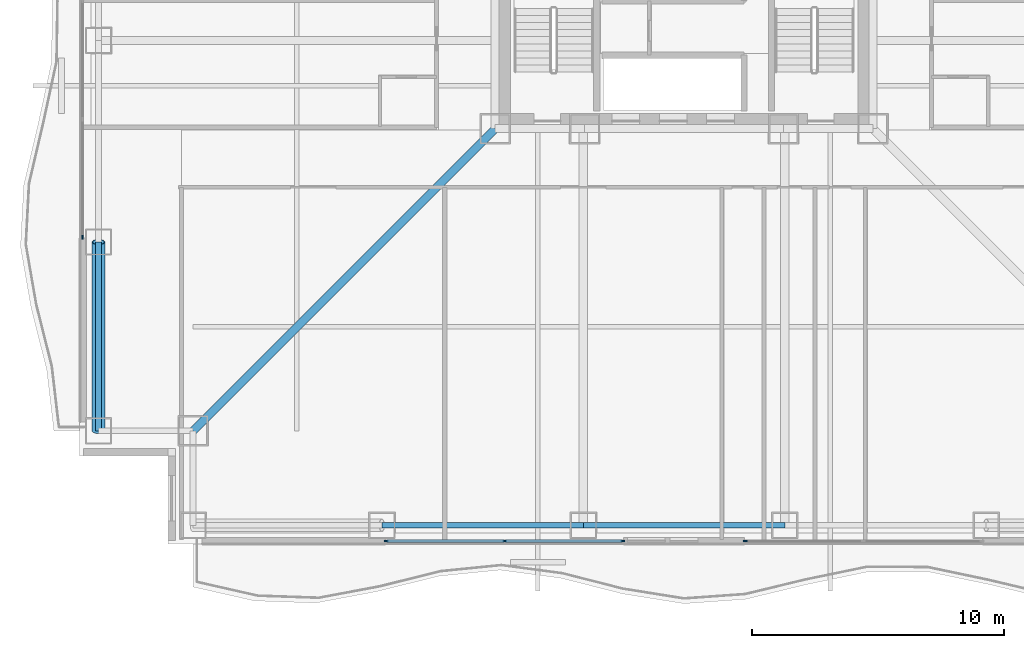
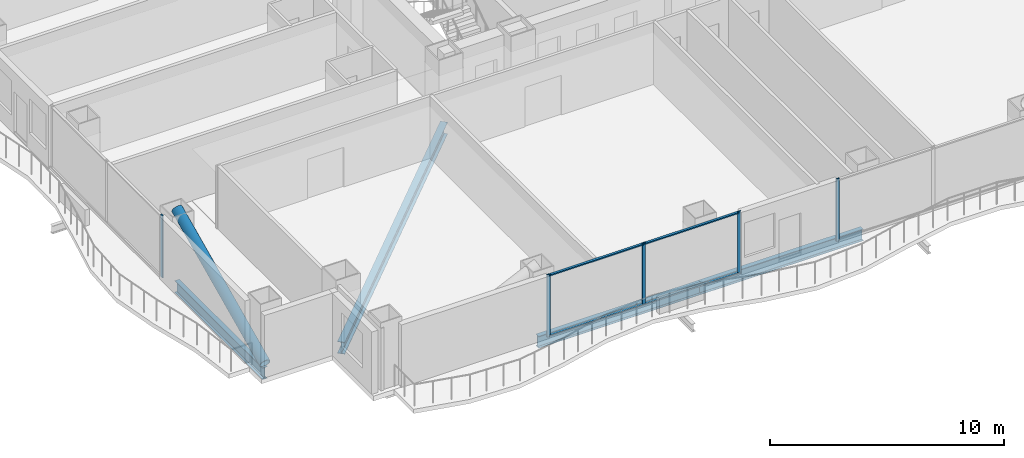
# One storey, part 2 of 24: 10 members, 4 beams, 3 elements without a shape of their own.
"""IFC4 building model written with IfcOpenShell, lengths in metres."""

from ifc_helpers import new_model, si_unit, direction, frame, origin, origin_2d, place, context, subcontext, project, spatial, rectangle, hollow_circle, i_section, extrude, material, layer, layer_set, material_profile, profile_set, type_object, element, aggregate, save


model = new_model("IFC4")

# Units and contexts
model_context = context("Model", 3, precision=1e-05, world=origin(), true_north=direction((0.0, 1.0)))
body_context = subcontext(model_context, "Body", "Model", "MODEL_VIEW")
ifc_project = project(units=[si_unit("LENGTHUNIT", "METRE"), si_unit("AREAUNIT", "SQUARE_METRE"), si_unit("VOLUMEUNIT", "CUBIC_METRE"), si_unit("PLANEANGLEUNIT", "RADIAN"), si_unit("MASSUNIT", "GRAM", prefix="KILO")], contexts=[model_context])

# Site, building, storey
site_placement = place(None, origin())
site = spatial("IfcSite", under=ifc_project, at=site_placement, CompositionType="ELEMENT")
building_placement = place(site_placement, origin())
building = spatial("IfcBuilding", under=site, at=building_placement, Name="Trevonay Congress Spire", CompositionType="ELEMENT")
storey_placement = place(building_placement, frame((0.0, 0.0, 55.0)))
storey = spatial("IfcBuildingStorey", under=building, at=storey_placement, Name="L13", CompositionType="ELEMENT", Elevation=55.0)

# Beams
ifc_material_1 = material(Name="Steel ASTM A572 Grade 50", Category="steel")
ifc_material_profile_1 = material_profile(ifc_material_1, i_section(OverallWidth=0.324951171875, OverallDepth=0.615966796875, WebThickness=0.013916015625, FlangeThickness=0.021484375, FilletRadius=0.01806640625, at=origin_2d()), Name="W610x174")
ifc_profile_set_1 = profile_set([ifc_material_profile_1], Name="Steel ASTM A572 Grade 50")
beam_type_1 = type_object("IfcBeamType", Name="BM-GIRD-W610X174", PredefinedType="BEAM", material=ifc_profile_set_1)
beam_1_placement = place(storey_placement, frame((-7.5, -7.5, -0.55810546875), z_axis=(-0.707106781187, -0.707106781187, 0.0), x_axis=(0.707106781187, -0.707106781187, 0.0)))
element("IfcBeam", 1, at=beam_1_placement, inside=storey, type_object=beam_type_1, Name="L13 structural beam BM-L13-CDSW", PredefinedType="BEAM", context=body_context, shape_type="SweptSolid", body=[
    extrude(i_section(OverallWidth=0.324951171875, OverallDepth=0.615966796875, WebThickness=0.013916015625, FlangeThickness=0.021484375, FilletRadius=0.01806640625, at=origin_2d()), origin(), (0.0, 0.0, 1.0), 16.970458984375),
])
ifc_material_profile_2 = material_profile(ifc_material_1, i_section(OverallWidth=0.22998046875, OverallDepth=0.616943359375, WebThickness=0.01318359375, FlangeThickness=0.022216796875, FilletRadius=0.01611328125, at=origin_2d()), Name="W610x140")
ifc_profile_set_2 = profile_set([ifc_material_profile_2], Name="Steel ASTM A572 Grade 50")
beam_type_2 = type_object("IfcBeamType", Name="BM-RING-W610X140", PredefinedType="BEAM", material=ifc_profile_set_2)
beam_2_placement = place(storey_placement, frame((-23.25, -19.5, -0.55859375), z_axis=(0.0, 1.0, 0.0), x_axis=(-1.0, 0.0, 0.0)))
element("IfcBeam", 2, at=beam_2_placement, inside=storey, type_object=beam_type_2, Name="L13 structural beam BM-L13-PW1", PredefinedType="BEAM", context=body_context, shape_type="SweptSolid", body=[
    extrude(i_section(OverallWidth=0.22998046875, OverallDepth=0.616943359375, WebThickness=0.01318359375, FlangeThickness=0.022216796875, FilletRadius=0.01611328125, at=origin_2d()), origin(), (0.0, 0.0, 1.0), 7.5),
])
for number, where, z_axis, x_axis, name in (
    (3, (-12.0, -23.25, -0.55859375), (1.0, 0.0, 0.0), (0.0, 1.0, 0.0), "L13 structural beam BM-L13-PS2"),
    (4, (-4.0, -23.25, -0.55859375), (1.0, 0.0, 0.0), (0.0, 1.0, 0.0), "L13 structural beam BM-L13-PS3"),
):
    element("IfcBeam", number, at=place(storey_placement, frame(where, z_axis=z_axis, x_axis=x_axis)), inside=storey, type_object=beam_type_2, Name=name, PredefinedType="BEAM", context=body_context, shape_type="SweptSolid", body=[
        extrude(i_section(OverallWidth=0.22998046875, OverallDepth=0.616943359375, WebThickness=0.01318359375, FlangeThickness=0.022216796875, FilletRadius=0.01611328125, at=origin_2d()), origin(), (0.0, 0.0, 1.0), 8.0),
    ])

# Curtain wall, members
ifc_material_2 = material(Name="Pale Anodised Aluminium EN AW-6063-T6", Category="aluminium")
ifc_layer = layer(ifc_material_2, 0.179931640625, Name="Pale Anodised Aluminium EN AW-6063-T6")
ifc_layer_set = layer_set([ifc_layer], Name="Pale Anodised Aluminium EN AW-6063-T6")
curtain_wall_type = type_object("IfcCurtainWallType", Name="CW-SYS02-HOTEL-PALE-METAL", PredefinedType="NOTDEFINED", material=ifc_layer_set)
curtain_wall_1_placement = place(storey_placement, origin())
curtain_wall_1 = element("IfcCurtainWall", 5, at=curtain_wall_1_placement, inside=storey, type_object=curtain_wall_type, Name="L13 SA unitised curtain wall", PredefinedType="NOTDEFINED")
ifc_material_profile_3 = material_profile(ifc_material_2, rectangle(XDim=0.06005859375, YDim=0.159912109375, at=origin_2d()), Name="CW-MULLION-160-ALUMINIUM")
ifc_profile_set_3 = profile_set([ifc_material_profile_3], Name="Pale Anodised Aluminium EN AW-6063-T6")
member_type_1 = type_object("IfcMemberType", Name="CW-MULLION-160-ALUMINIUM", PredefinedType="MULLION", material=ifc_profile_set_3)
member_1_placement = place(storey_placement, frame((-11.820068359375, -23.8798828125, 0.0), z_axis=(0.0, 0.0, 1.0), x_axis=(0.0, 1.0, 0.0)))
member_1 = element("IfcMember", 6, at=member_1_placement, type_object=member_type_1, Name="CW02 mullion 1", PredefinedType="MULLION", context=body_context, shape_type="SweptSolid", body=[
    extrude(rectangle(XDim=0.06005859375, YDim=0.159912109375, at=origin_2d()), origin(), (0.0, 0.0, 1.0), 3.25),
])
member_2_placement = place(storey_placement, frame((-7.125, -23.8798828125, 0.0), z_axis=(0.0, 0.0, 1.0), x_axis=(0.0, 1.0, 0.0)))
member_2 = element("IfcMember", 7, at=member_2_placement, type_object=member_type_1, Name="CW02 mullion 2", PredefinedType="MULLION", context=body_context, shape_type="SweptSolid", body=[
    extrude(rectangle(XDim=0.06005859375, YDim=0.159912109375, at=origin_2d()), origin(), (0.0, 0.0, 1.0), 3.25),
])
member_3_placement = place(storey_placement, frame((-2.429931640625, -23.8798828125, 0.0), z_axis=(0.0, 0.0, 1.0), x_axis=(0.0, 1.0, 0.0)))
member_3 = element("IfcMember", 8, at=member_3_placement, type_object=member_type_1, Name="CW02 mullion 3", PredefinedType="MULLION", context=body_context, shape_type="SweptSolid", body=[
    extrude(rectangle(XDim=0.06005859375, YDim=0.159912109375, at=origin_2d()), origin(), (0.0, 0.0, 1.0), 3.25),
])

# Curtain wall, member
curtain_wall_2_placement = place(storey_placement, origin())
curtain_wall_2 = element("IfcCurtainWall", 9, at=curtain_wall_2_placement, inside=storey, type_object=curtain_wall_type, Name="L13 SB unitised curtain wall", PredefinedType="NOTDEFINED")
member_4_placement = place(storey_placement, frame((2.429931640625, -23.8798828125, 0.0), z_axis=(0.0, 0.0, 1.0), x_axis=(0.0, 1.0, 0.0)))
member_4 = element("IfcMember", 10, at=member_4_placement, type_object=member_type_1, Name="CW02 mullion 1", PredefinedType="MULLION", context=body_context, shape_type="SweptSolid", body=[
    extrude(rectangle(XDim=0.06005859375, YDim=0.159912109375, at=origin_2d()), origin(), (0.0, 0.0, 1.0), 3.25),
])
aggregate(curtain_wall_2, [member_4])

curtain_wall_3_placement = place(storey_placement, origin())
curtain_wall_3 = element("IfcCurtainWall", 11, at=curtain_wall_3_placement, inside=storey, type_object=curtain_wall_type, Name="L13 WA unitised curtain wall", PredefinedType="NOTDEFINED")
member_5_placement = place(storey_placement, frame((-23.8798828125, -11.820068359375, 0.0), z_axis=(0.0, 0.0, 1.0), x_axis=(-1.0, 0.0, 0.0)))
member_5 = element("IfcMember", 12, at=member_5_placement, type_object=member_type_1, Name="CW02 mullion 1", PredefinedType="MULLION", context=body_context, shape_type="SweptSolid", body=[
    extrude(rectangle(XDim=0.06005859375, YDim=0.159912109375, at=origin_2d()), origin(), (0.0, 0.0, 1.0), 3.25),
])
aggregate(curtain_wall_3, [member_5])

# Member
ifc_material_profile_4 = material_profile(ifc_material_2, rectangle(XDim=0.1201171875, YDim=0.06005859375, at=origin_2d()), Name="CW-TRANSOM-120-ALUMINIUM")
ifc_profile_set_4 = profile_set([ifc_material_profile_4], Name="Pale Anodised Aluminium EN AW-6063-T6")
member_type_2 = type_object("IfcMemberType", Name="CW-TRANSOM-120-ALUMINIUM", PredefinedType="USERDEFINED", material=ifc_profile_set_4)
member_6_placement = place(storey_placement, frame((-11.7900390625, -23.8798828125, 0.06005859375), z_axis=(1.0, 0.0, 0.0), x_axis=(0.0, 1.0, 0.0)))
member_6 = element("IfcMember", 13, at=member_6_placement, type_object=member_type_2, Name="CW02 transom 1.1", ObjectType="TRANSOM", PredefinedType="USERDEFINED", context=body_context, shape_type="SweptSolid", body=[
    extrude(rectangle(XDim=0.1201171875, YDim=0.06005859375, at=origin_2d()), origin(), (0.0, 0.0, 1.0), 4.635009765625),
])

member_7_placement = place(storey_placement, frame((-11.7900390625, -23.8798828125, 3.18994140625), z_axis=(1.0, 0.0, 0.0), x_axis=(0.0, 1.0, 0.0)))
member_7 = element("IfcMember", 14, at=member_7_placement, type_object=member_type_2, Name="CW02 transom 1.2", ObjectType="TRANSOM", PredefinedType="USERDEFINED", context=body_context, shape_type="SweptSolid", body=[
    extrude(rectangle(XDim=0.1201171875, YDim=0.06005859375, at=origin_2d()), origin(), (0.0, 0.0, 1.0), 4.635009765625),
])

member_8_placement = place(storey_placement, frame((-7.094970703125, -23.8798828125, 0.06005859375), z_axis=(1.0, 0.0, 0.0), x_axis=(0.0, 1.0, 0.0)))
member_8 = element("IfcMember", 15, at=member_8_placement, type_object=member_type_2, Name="CW02 transom 2.1", ObjectType="TRANSOM", PredefinedType="USERDEFINED", context=body_context, shape_type="SweptSolid", body=[
    extrude(rectangle(XDim=0.1201171875, YDim=0.06005859375, at=origin_2d()), origin(), (0.0, 0.0, 1.0), 4.635009765625),
])

member_9_placement = place(storey_placement, frame((-7.094970703125, -23.8798828125, 3.18994140625), z_axis=(1.0, 0.0, 0.0), x_axis=(0.0, 1.0, 0.0)))
member_9 = element("IfcMember", 16, at=member_9_placement, type_object=member_type_2, Name="CW02 transom 2.2", ObjectType="TRANSOM", PredefinedType="USERDEFINED", context=body_context, shape_type="SweptSolid", body=[
    extrude(rectangle(XDim=0.1201171875, YDim=0.06005859375, at=origin_2d()), origin(), (0.0, 0.0, 1.0), 4.635009765625),
])

aggregate(curtain_wall_1, [member_1, member_2, member_3, member_6, member_7, member_8, member_9])

ifc_material_profile_5 = material_profile(ifc_material_1, hollow_circle(Radius=0.25390625, WallThickness=0.02490234375, at=origin_2d()), Name="CHS 508x25")
ifc_profile_set_5 = profile_set([ifc_material_profile_5], Name="Steel ASTM A572 Grade 50")
member_type_3 = type_object("IfcMemberType", Name="MBR-TUBE-CHS508", PredefinedType="BRACE", material=ifc_profile_set_5)
member_10_placement = place(storey_placement, frame((-23.25, -19.5, -0.050048828125), z_axis=(0.0, 0.906183139995, 0.422885465331), x_axis=(-1.0, 0.0, 0.0)))
element("IfcMember", 17, at=member_10_placement, inside=storey, type_object=member_type_3, Name="L13 perimeter braced-tube diagonal W0", PredefinedType="BRACE", context=body_context, shape_type="SweptSolid", body=[
    extrude(hollow_circle(Radius=0.25390625, WallThickness=0.02490234375, at=origin_2d()), origin(), (0.0, 0.0, 1.0), 8.2763671875),
])

save(model, "model.ifc")
